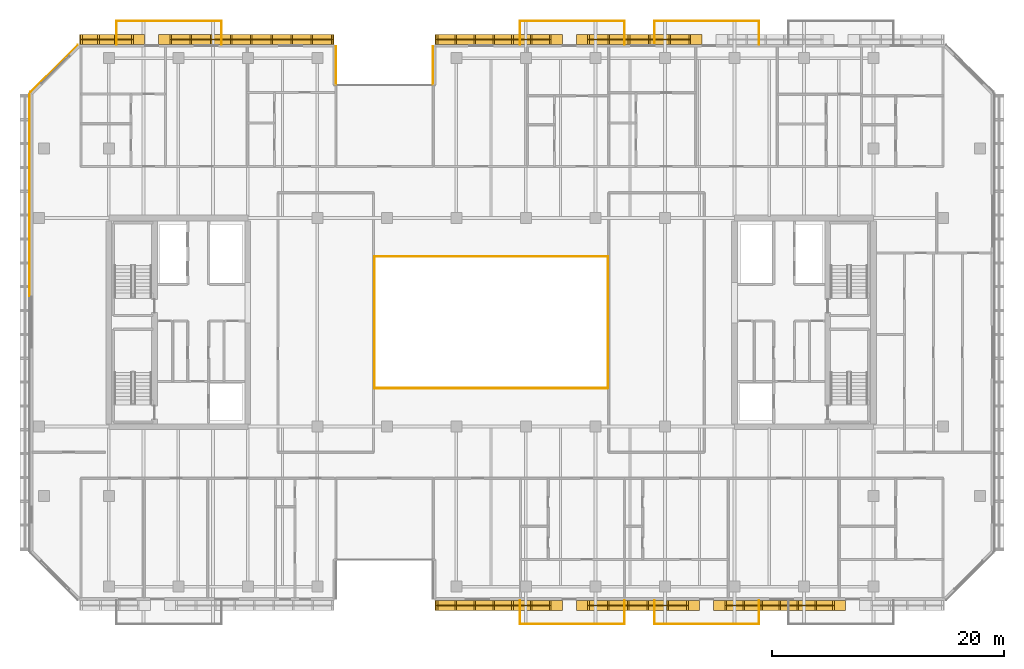
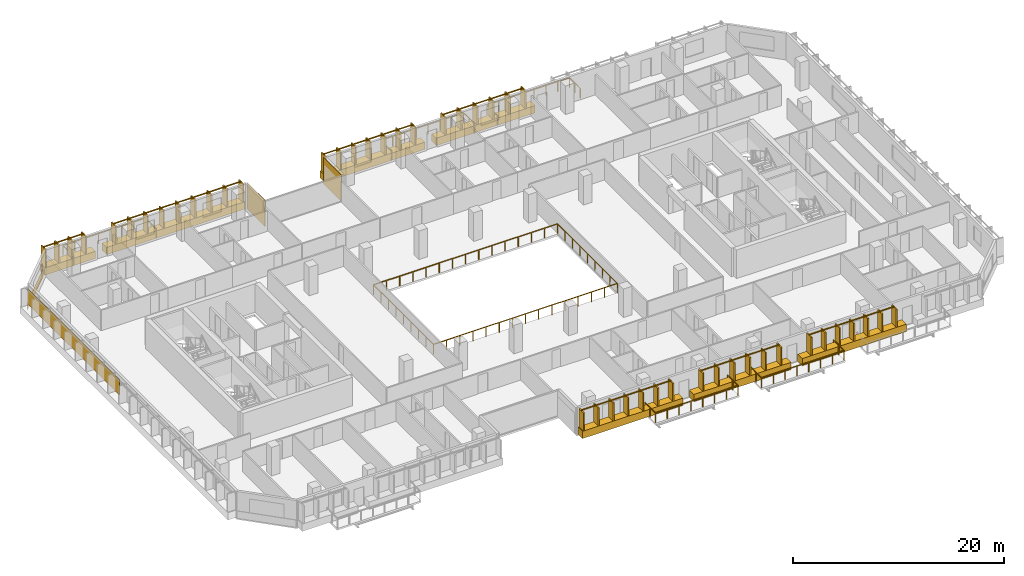
# One storey, part 21 of 23: 14 railings, 11 coverings.
"""IFC4 building model written with IfcOpenShell, lengths in metres."""

from ifc_helpers import new_model, si_unit, direction, frame, origin, origin_2d, place, context, subcontext, project, spatial, rectangle, extrude, material, layer, layer_set, type_object, element, save


model = new_model("IFC4")

# Units and contexts
model_context = context("Model", 3, precision=1e-05, world=origin(), true_north=direction((0.0, 1.0)))
body_context = subcontext(model_context, "Body", "Model", "MODEL_VIEW")
ifc_project = project(units=[si_unit("LENGTHUNIT", "METRE"), si_unit("AREAUNIT", "SQUARE_METRE"), si_unit("VOLUMEUNIT", "CUBIC_METRE"), si_unit("PLANEANGLEUNIT", "RADIAN"), si_unit("MASSUNIT", "GRAM", prefix="KILO")], contexts=[model_context])

# Site, building, storey
site_placement = place(None, origin())
site = spatial("IfcSite", under=ifc_project, at=site_placement, CompositionType="ELEMENT")
building_placement = place(site_placement, origin())
building = spatial("IfcBuilding", under=site, at=building_placement, Name="Tanjung Sevakor Pilgrim Tower", CompositionType="ELEMENT")
storey_placement = place(building_placement, frame((0.0, 0.0, 105.27001953125)))
storey = spatial("IfcBuildingStorey", under=building, at=storey_placement, Name="L29", CompositionType="ELEMENT", Elevation=105.27001953125)

# Coverings
ifc_material_1 = material(Name="Reconstructed Limestone Cladding", Category="masonry")
ifc_layer = layer(ifc_material_1, 0.044921875)
ifc_layer_set = layer_set([ifc_layer], Name="COV-CLAD-LIMESTONE")
covering_type = type_object("IfcCoveringType", Name="COV-CLAD-LIMESTONE", PredefinedType="CLADDING", material=ifc_layer_set)
covering_1_placement = place(storey_placement, frame((57.652587890625, 9.169921875, 0.009765625), z_axis=(0.0, 0.0, 1.0), x_axis=(1.0, 0.0, 0.0)))
element("IfcCovering", 1, at=covering_1_placement, inside=storey, type_object=covering_type, Name="L29 Warm Limestone Sill Spandrel EW-L29-MAIN-5-1", PredefinedType="CLADDING", context=body_context, shape_type="SweptSolid", body=[
    extrude(rectangle(XDim=10.97509765625, YDim=0.860107421875, at=origin_2d()), origin(), (0.0, 0.0, 1.0), 0.840087890625),
])
covering_2_placement = place(storey_placement, frame((69.675048828125, 9.169921875, 0.009765625), z_axis=(0.0, 0.0, 1.0), x_axis=(1.0, 0.0, 0.0)))
element("IfcCovering", 2, at=covering_2_placement, inside=storey, type_object=covering_type, Name="L29 Warm Limestone Sill Spandrel EW-L29-MAIN-5-2", PredefinedType="CLADDING", context=body_context, shape_type="SweptSolid", body=[
    extrude(rectangle(XDim=10.6298828125, YDim=0.860107421875, at=origin_2d()), origin(), (0.0, 0.0, 1.0), 0.840087890625),
])
covering_3_placement = place(storey_placement, frame((81.89990234375, 9.169921875, 0.009765625), z_axis=(0.0, 0.0, 1.0), x_axis=(1.0, 0.0, 0.0)))
element("IfcCovering", 3, at=covering_3_placement, inside=storey, type_object=covering_type, Name="L29 Warm Limestone Sill Spandrel EW-L29-MAIN-5-3", PredefinedType="CLADDING", context=body_context, shape_type="SweptSolid", body=[
    extrude(rectangle(XDim=11.3798828125, YDim=0.860107421875, at=origin_2d()), origin(), (0.0, 0.0, 1.0), 0.840087890625),
])
covering_4_placement = place(storey_placement, frame((69.77490234375, 58.030029296875, 0.009765625), z_axis=(0.0, 0.0, 1.0), x_axis=(-1.0, 0.0, 0.0)))
element("IfcCovering", 4, at=covering_4_placement, inside=storey, type_object=covering_type, Name="L29 Warm Limestone Sill Spandrel EW-L29-MAIN-9-3", PredefinedType="CLADDING", context=body_context, shape_type="SweptSolid", body=[
    extrude(rectangle(XDim=10.830078125, YDim=0.860107421875, at=origin_2d()), origin(), (0.0, 0.0, 1.0), 0.840087890625),
])
covering_5_placement = place(storey_placement, frame((57.652587890625, 58.030029296875, 0.009765625), z_axis=(0.0, 0.0, 1.0), x_axis=(-1.0, 0.0, 0.0)))
element("IfcCovering", 5, at=covering_5_placement, inside=storey, type_object=covering_type, Name="L29 Warm Limestone Sill Spandrel EW-L29-MAIN-9-4", PredefinedType="CLADDING", context=body_context, shape_type="SweptSolid", body=[
    extrude(rectangle(XDim=10.97509765625, YDim=0.860107421875, at=origin_2d()), origin(), (0.0, 0.0, 1.0), 0.840087890625),
])
for number, where, z_axis, x_axis, name in (
    (6, (51.9775390625, 55.77490234375, 0.02001953125), (0.0, 0.0, 1.0), (0.0, -1.0, 0.0), "L29 Warm Limestone Wall Cladding EW-L29-MAIN-10"),
    (7, (43.62255859375, 55.77490234375, 0.02001953125), (0.0, 0.0, 1.0), (0.0, 1.0, 0.0), "L29 Warm Limestone Wall Cladding EW-L29-MAIN-12"),
):
    element("IfcCovering", number, at=place(storey_placement, frame(where, z_axis=z_axis, x_axis=x_axis)), inside=storey, type_object=covering_type, Name=name, PredefinedType="CLADDING", context=body_context, shape_type="SweptSolid", body=[
        extrude(rectangle(XDim=3.360107421875, YDim=0.044921875, at=origin_2d()), origin(), (0.0, 0.0, 1.0), 3.0400390625),
    ])
covering_6_placement = place(storey_placement, frame((35.87255859375, 58.030029296875, 0.009765625), z_axis=(0.0, 0.0, 1.0), x_axis=(-1.0, 0.0, 0.0)))
element("IfcCovering", 8, at=covering_6_placement, inside=storey, type_object=covering_type, Name="L29 Warm Limestone Sill Spandrel EW-L29-MAIN-13-1", PredefinedType="CLADDING", context=body_context, shape_type="SweptSolid", body=[
    extrude(rectangle(XDim=15.125, YDim=0.860107421875, at=origin_2d()), origin(), (0.0, 0.0, 1.0), 0.840087890625),
])
covering_7_placement = place(storey_placement, frame((24.291015625, 58.030029296875, 0.009765625), z_axis=(0.0, 0.0, 1.0), x_axis=(-1.0, 0.0, 0.0)))
element("IfcCovering", 9, at=covering_7_placement, inside=storey, type_object=covering_type, Name="L29 Warm Limestone Sill Spandrel EW-L29-MAIN-13-2", PredefinedType="CLADDING", context=body_context, shape_type="SweptSolid", body=[
    extrude(rectangle(XDim=5.59814453125, YDim=0.860107421875, at=origin_2d()), origin(), (0.0, 0.0, 1.0), 0.840087890625),
])
covering_8_placement = place(storey_placement, frame((19.2841796875, 55.515869140625, 0.009765625), z_axis=(0.0, 0.0, 1.0), x_axis=(-0.707106781187, -0.707106781187, 0.0)))
element("IfcCovering", 10, at=covering_8_placement, inside=storey, type_object=covering_type, Name="L29 Warm Limestone Sill Spandrel EW-CHM-L29-MAIN-13-1", PredefinedType="CLADDING", context=body_context, shape_type="SweptSolid", body=[
    extrude(rectangle(XDim=5.756103515625, YDim=0.044921875, at=origin_2d()), origin(), (0.0, 0.0, 1.0), 0.840087890625),
])
covering_9_placement = place(storey_placement, frame((17.177490234375, 44.5791015625, 0.849853515625), z_axis=(0.0, 0.0, 1.0), x_axis=(0.0, -1.0, 0.0)))
element("IfcCovering", 11, at=covering_9_placement, inside=storey, type_object=covering_type, Name="L29 Warm Limestone Pier Panel EW-L29-MAIN-15-1", PredefinedType="CLADDING", context=body_context, shape_type="SweptSolid", body=[
    extrude(rectangle(XDim=17.458251953125, YDim=0.044921875, at=origin_2d()), origin(), (0.0, 0.0, 1.0), 1.81005859375),
])

# Railings
ifc_material_2 = material(Name="Laminated Glass and Aluminium", Category="aluminium")
railing_type_1 = type_object("IfcRailingType", Name="RL-BAL-BALUST", PredefinedType="BALUSTRADE", material=ifc_material_2)
railing_1_placement = place(storey_placement, frame((46.919921875, 27.919921875, 0.0)))
element("IfcRailing", 12, at=railing_1_placement, inside=storey, type_object=railing_type_1, Name="L29 Void Opening Balustrade 1A", PredefinedType="BALUSTRADE", context=body_context, shape_type="SweptSolid", body=[
    extrude(rectangle(XDim=0.0479, YDim=0.0479), frame((0.0, 0.0, 1.1259765625), z_axis=(1.0, 0.0, 0.0), x_axis=(0.0, 1.0, 0.0)), (0.0, 0.0, 1.0), 20.16015625),
    extrude(rectangle(XDim=0.0479, YDim=0.0479), frame((20.16015625, 0.0, 1.1259765625), z_axis=(0.0, 1.0, 0.0), x_axis=(-1.0, 0.0, 0.0)), (0.0, 0.0, 1.0), 11.360107421875),
    extrude(rectangle(XDim=0.042, YDim=0.042), origin(), (0.0, 0.0, 1.0), 1.101806640625),
    extrude(rectangle(XDim=0.042, YDim=0.042), frame((1.43994140625, 0.0, 0.0)), (0.0, 0.0, 1.0), 1.101806640625),
    extrude(rectangle(XDim=0.042, YDim=0.042), frame((2.880126953125, 0.0, 0.0)), (0.0, 0.0, 1.0), 1.101806640625),
    extrude(rectangle(XDim=0.042, YDim=0.042), frame((4.320068359375, 0.0, 0.0)), (0.0, 0.0, 1.0), 1.101806640625),
    extrude(rectangle(XDim=0.042, YDim=0.042), frame((5.760009765625, 0.0, 0.0)), (0.0, 0.0, 1.0), 1.101806640625),
    extrude(rectangle(XDim=0.042, YDim=0.042), frame((7.199951171875, 0.0, 0.0)), (0.0, 0.0, 1.0), 1.101806640625),
    extrude(rectangle(XDim=0.042, YDim=0.042), frame((8.64013671875, 0.0, 0.0)), (0.0, 0.0, 1.0), 1.101806640625),
    extrude(rectangle(XDim=0.042, YDim=0.042), frame((10.080078125, 0.0, 0.0)), (0.0, 0.0, 1.0), 1.101806640625),
    extrude(rectangle(XDim=0.042, YDim=0.042), frame((11.52001953125, 0.0, 0.0)), (0.0, 0.0, 1.0), 1.101806640625),
    extrude(rectangle(XDim=0.042, YDim=0.042), frame((12.960205078125, 0.0, 0.0)), (0.0, 0.0, 1.0), 1.101806640625),
    extrude(rectangle(XDim=0.042, YDim=0.042), frame((14.400146484375, 0.0, 0.0)), (0.0, 0.0, 1.0), 1.101806640625),
    extrude(rectangle(XDim=0.042, YDim=0.042), frame((15.840087890625, 0.0, 0.0)), (0.0, 0.0, 1.0), 1.101806640625),
    extrude(rectangle(XDim=0.042, YDim=0.042), frame((17.280029296875, 0.0, 0.0)), (0.0, 0.0, 1.0), 1.101806640625),
    extrude(rectangle(XDim=0.042, YDim=0.042), frame((18.72021484375, 0.0, 0.0)), (0.0, 0.0, 1.0), 1.101806640625),
    extrude(rectangle(XDim=0.042, YDim=0.042), frame((20.16015625, 0.0, 0.0)), (0.0, 0.0, 1.0), 1.101806640625),
    extrude(rectangle(XDim=0.042, YDim=0.042), frame((20.16015625, 1.419921875, 0.0)), (0.0, 0.0, 1.0), 1.101806640625),
    extrude(rectangle(XDim=0.042, YDim=0.042), frame((20.16015625, 2.840087890625, 0.0)), (0.0, 0.0, 1.0), 1.101806640625),
    extrude(rectangle(XDim=0.042, YDim=0.042), frame((20.16015625, 4.260009765625, 0.0)), (0.0, 0.0, 1.0), 1.101806640625),
    extrude(rectangle(XDim=0.042, YDim=0.042), frame((20.16015625, 5.68017578125, 0.0)), (0.0, 0.0, 1.0), 1.101806640625),
    extrude(rectangle(XDim=0.042, YDim=0.042), frame((20.16015625, 7.10009765625, 0.0)), (0.0, 0.0, 1.0), 1.101806640625),
    extrude(rectangle(XDim=0.042, YDim=0.042), frame((20.16015625, 8.52001953125, 0.0)), (0.0, 0.0, 1.0), 1.101806640625),
    extrude(rectangle(XDim=0.042, YDim=0.042), frame((20.16015625, 9.940185546875, 0.0)), (0.0, 0.0, 1.0), 1.101806640625),
    extrude(rectangle(XDim=0.042, YDim=0.042), frame((20.16015625, 11.360107421875, 0.0)), (0.0, 0.0, 1.0), 1.101806640625),
])
railing_2_placement = place(storey_placement, frame((67.080078125, 39.280029296875, 0.0)))
element("IfcRailing", 13, at=railing_2_placement, inside=storey, type_object=railing_type_1, Name="L29 Void Opening Balustrade 1B", PredefinedType="BALUSTRADE", context=body_context, shape_type="SweptSolid", body=[
    extrude(rectangle(XDim=0.0479, YDim=0.0479), frame((0.0, 0.0, 1.1259765625), z_axis=(-1.0, 0.0, 0.0), x_axis=(0.0, -1.0, 0.0)), (0.0, 0.0, 1.0), 20.16015625),
    extrude(rectangle(XDim=0.0479, YDim=0.0479), frame((-20.16015625, 0.0, 1.1259765625), z_axis=(0.0, -1.0, 0.0), x_axis=(1.0, 0.0, 0.0)), (0.0, 0.0, 1.0), 11.360107421875),
    extrude(rectangle(XDim=0.042, YDim=0.042), origin(), (0.0, 0.0, 1.0), 1.101806640625),
    extrude(rectangle(XDim=0.042, YDim=0.042), frame((-1.43994140625, 0.0, 0.0)), (0.0, 0.0, 1.0), 1.101806640625),
    extrude(rectangle(XDim=0.042, YDim=0.042), frame((-2.880126953125, 0.0, 0.0)), (0.0, 0.0, 1.0), 1.101806640625),
    extrude(rectangle(XDim=0.042, YDim=0.042), frame((-4.320068359375, 0.0, 0.0)), (0.0, 0.0, 1.0), 1.101806640625),
    extrude(rectangle(XDim=0.042, YDim=0.042), frame((-5.760009765625, 0.0, 0.0)), (0.0, 0.0, 1.0), 1.101806640625),
    extrude(rectangle(XDim=0.042, YDim=0.042), frame((-7.199951171875, 0.0, 0.0)), (0.0, 0.0, 1.0), 1.101806640625),
    extrude(rectangle(XDim=0.042, YDim=0.042), frame((-8.64013671875, 0.0, 0.0)), (0.0, 0.0, 1.0), 1.101806640625),
    extrude(rectangle(XDim=0.042, YDim=0.042), frame((-10.080078125, 0.0, 0.0)), (0.0, 0.0, 1.0), 1.101806640625),
    extrude(rectangle(XDim=0.042, YDim=0.042), frame((-11.52001953125, 0.0, 0.0)), (0.0, 0.0, 1.0), 1.101806640625),
    extrude(rectangle(XDim=0.042, YDim=0.042), frame((-12.960205078125, 0.0, 0.0)), (0.0, 0.0, 1.0), 1.101806640625),
    extrude(rectangle(XDim=0.042, YDim=0.042), frame((-14.400146484375, 0.0, 0.0)), (0.0, 0.0, 1.0), 1.101806640625),
    extrude(rectangle(XDim=0.042, YDim=0.042), frame((-15.840087890625, 0.0, 0.0)), (0.0, 0.0, 1.0), 1.101806640625),
    extrude(rectangle(XDim=0.042, YDim=0.042), frame((-17.280029296875, 0.0, 0.0)), (0.0, 0.0, 1.0), 1.101806640625),
    extrude(rectangle(XDim=0.042, YDim=0.042), frame((-18.72021484375, 0.0, 0.0)), (0.0, 0.0, 1.0), 1.101806640625),
    extrude(rectangle(XDim=0.042, YDim=0.042), frame((-20.16015625, 0.0, 0.0)), (0.0, 0.0, 1.0), 1.101806640625),
    extrude(rectangle(XDim=0.042, YDim=0.042), frame((-20.16015625, -1.419921875, 0.0)), (0.0, 0.0, 1.0), 1.101806640625),
    extrude(rectangle(XDim=0.042, YDim=0.042), frame((-20.16015625, -2.840087890625, 0.0)), (0.0, 0.0, 1.0), 1.101806640625),
    extrude(rectangle(XDim=0.042, YDim=0.042), frame((-20.16015625, -4.260009765625, 0.0)), (0.0, 0.0, 1.0), 1.101806640625),
    extrude(rectangle(XDim=0.042, YDim=0.042), frame((-20.16015625, -5.68017578125, 0.0)), (0.0, 0.0, 1.0), 1.101806640625),
    extrude(rectangle(XDim=0.042, YDim=0.042), frame((-20.16015625, -7.10009765625, 0.0)), (0.0, 0.0, 1.0), 1.101806640625),
    extrude(rectangle(XDim=0.042, YDim=0.042), frame((-20.16015625, -8.52001953125, 0.0)), (0.0, 0.0, 1.0), 1.101806640625),
    extrude(rectangle(XDim=0.042, YDim=0.042), frame((-20.16015625, -9.940185546875, 0.0)), (0.0, 0.0, 1.0), 1.101806640625),
    extrude(rectangle(XDim=0.042, YDim=0.042), frame((-20.16015625, -11.360107421875, 0.0)), (0.0, 0.0, 1.0), 1.101806640625),
])
railing_3_placement = place(storey_placement, frame((24.679931640625, 57.60009765625, 0.0)))
element("IfcRailing", 14, at=railing_3_placement, inside=storey, type_object=railing_type_1, Name="L29 Loggia Balustrade MAIN-N1", PredefinedType="BALUSTRADE", context=body_context, shape_type="SweptSolid", body=[
    extrude(rectangle(XDim=0.0479, YDim=0.0479), frame((0.0, 0.0, 1.1259765625), z_axis=(0.0, 1.0, 0.0), x_axis=(-1.0, 0.0, 0.0)), (0.0, 0.0, 1.0), 2.02001953125),
    extrude(rectangle(XDim=0.0479, YDim=0.0479), frame((0.0, 2.02001953125, 1.1259765625), z_axis=(1.0, 0.0, 0.0), x_axis=(0.0, 1.0, 0.0)), (0.0, 0.0, 1.0), 9.0400390625),
    extrude(rectangle(XDim=0.0479, YDim=0.0479), frame((9.0400390625, 2.02001953125, 1.1259765625), z_axis=(0.0, -1.0, 0.0), x_axis=(1.0, 0.0, 0.0)), (0.0, 0.0, 1.0), 2.02001953125),
    extrude(rectangle(XDim=0.042, YDim=0.042), origin(), (0.0, 0.0, 1.0), 1.101806640625),
    extrude(rectangle(XDim=0.042, YDim=0.042), frame((0.0, 1.010009765625, 0.0)), (0.0, 0.0, 1.0), 1.101806640625),
    extrude(rectangle(XDim=0.042, YDim=0.042), frame((0.0, 2.02001953125, 0.0)), (0.0, 0.0, 1.0), 1.101806640625),
    extrude(rectangle(XDim=0.042, YDim=0.042), frame((1.29150390625, 2.02001953125, 0.0)), (0.0, 0.0, 1.0), 1.101806640625),
    extrude(rectangle(XDim=0.042, YDim=0.042), frame((2.582763671875, 2.02001953125, 0.0)), (0.0, 0.0, 1.0), 1.101806640625),
    extrude(rectangle(XDim=0.042, YDim=0.042), frame((3.874267578125, 2.02001953125, 0.0)), (0.0, 0.0, 1.0), 1.101806640625),
    extrude(rectangle(XDim=0.042, YDim=0.042), frame((5.165771484375, 2.02001953125, 0.0)), (0.0, 0.0, 1.0), 1.101806640625),
    extrude(rectangle(XDim=0.042, YDim=0.042), frame((6.457275390625, 2.02001953125, 0.0)), (0.0, 0.0, 1.0), 1.101806640625),
    extrude(rectangle(XDim=0.042, YDim=0.042), frame((7.74853515625, 2.02001953125, 0.0)), (0.0, 0.0, 1.0), 1.101806640625),
    extrude(rectangle(XDim=0.042, YDim=0.042), frame((9.0400390625, 2.02001953125, 0.0)), (0.0, 0.0, 1.0), 1.101806640625),
    extrude(rectangle(XDim=0.042, YDim=0.042), frame((9.0400390625, 1.010009765625, 0.0)), (0.0, 0.0, 1.0), 1.101806640625),
    extrude(rectangle(XDim=0.042, YDim=0.042), frame((9.0400390625, 0.0, 0.0)), (0.0, 0.0, 1.0), 1.101806640625),
])
railing_4_placement = place(storey_placement, frame((59.47998046875, 9.60009765625, 0.0)))
element("IfcRailing", 15, at=railing_4_placement, inside=storey, type_object=railing_type_1, Name="L29 Loggia Balustrade MAIN-S2", PredefinedType="BALUSTRADE", context=body_context, shape_type="SweptSolid", body=[
    extrude(rectangle(XDim=0.0479, YDim=0.0479), frame((0.0, 0.0, 1.1259765625), z_axis=(0.0, -1.0, 0.0), x_axis=(1.0, 0.0, 0.0)), (0.0, 0.0, 1.0), 2.02001953125),
    extrude(rectangle(XDim=0.0479, YDim=0.0479), frame((0.0, -2.02001953125, 1.1259765625), z_axis=(1.0, 0.0, 0.0), x_axis=(0.0, 1.0, 0.0)), (0.0, 0.0, 1.0), 9.0400390625),
    extrude(rectangle(XDim=0.0479, YDim=0.0479), frame((9.0400390625, -2.02001953125, 1.1259765625), z_axis=(0.0, 1.0, 0.0), x_axis=(-1.0, 0.0, 0.0)), (0.0, 0.0, 1.0), 2.02001953125),
    extrude(rectangle(XDim=0.042, YDim=0.042), origin(), (0.0, 0.0, 1.0), 1.101806640625),
    extrude(rectangle(XDim=0.042, YDim=0.042), frame((0.0, -1.010009765625, 0.0)), (0.0, 0.0, 1.0), 1.101806640625),
    extrude(rectangle(XDim=0.042, YDim=0.042), frame((0.0, -2.02001953125, 0.0)), (0.0, 0.0, 1.0), 1.101806640625),
    extrude(rectangle(XDim=0.042, YDim=0.042), frame((1.29150390625, -2.02001953125, 0.0)), (0.0, 0.0, 1.0), 1.101806640625),
    extrude(rectangle(XDim=0.042, YDim=0.042), frame((2.582763671875, -2.02001953125, 0.0)), (0.0, 0.0, 1.0), 1.101806640625),
    extrude(rectangle(XDim=0.042, YDim=0.042), frame((3.874267578125, -2.02001953125, 0.0)), (0.0, 0.0, 1.0), 1.101806640625),
    extrude(rectangle(XDim=0.042, YDim=0.042), frame((5.165771484375, -2.02001953125, 0.0)), (0.0, 0.0, 1.0), 1.101806640625),
    extrude(rectangle(XDim=0.042, YDim=0.042), frame((6.457275390625, -2.02001953125, 0.0)), (0.0, 0.0, 1.0), 1.101806640625),
    extrude(rectangle(XDim=0.042, YDim=0.042), frame((7.74853515625, -2.02001953125, 0.0)), (0.0, 0.0, 1.0), 1.101806640625),
    extrude(rectangle(XDim=0.042, YDim=0.042), frame((9.0400390625, -2.02001953125, 0.0)), (0.0, 0.0, 1.0), 1.101806640625),
    extrude(rectangle(XDim=0.042, YDim=0.042), frame((9.0400390625, -1.010009765625, 0.0)), (0.0, 0.0, 1.0), 1.101806640625),
    extrude(rectangle(XDim=0.042, YDim=0.042), frame((9.0400390625, 0.0, 0.0)), (0.0, 0.0, 1.0), 1.101806640625),
])
railing_5_placement = place(storey_placement, frame((59.47998046875, 57.60009765625, 0.0)))
element("IfcRailing", 16, at=railing_5_placement, inside=storey, type_object=railing_type_1, Name="L29 Loggia Balustrade MAIN-N2", PredefinedType="BALUSTRADE", context=body_context, shape_type="SweptSolid", body=[
    extrude(rectangle(XDim=0.0479, YDim=0.0479), frame((0.0, 0.0, 1.1259765625), z_axis=(0.0, 1.0, 0.0), x_axis=(-1.0, 0.0, 0.0)), (0.0, 0.0, 1.0), 2.02001953125),
    extrude(rectangle(XDim=0.0479, YDim=0.0479), frame((0.0, 2.02001953125, 1.1259765625), z_axis=(1.0, 0.0, 0.0), x_axis=(0.0, 1.0, 0.0)), (0.0, 0.0, 1.0), 9.0400390625),
    extrude(rectangle(XDim=0.0479, YDim=0.0479), frame((9.0400390625, 2.02001953125, 1.1259765625), z_axis=(0.0, -1.0, 0.0), x_axis=(1.0, 0.0, 0.0)), (0.0, 0.0, 1.0), 2.02001953125),
    extrude(rectangle(XDim=0.042, YDim=0.042), origin(), (0.0, 0.0, 1.0), 1.101806640625),
    extrude(rectangle(XDim=0.042, YDim=0.042), frame((0.0, 1.010009765625, 0.0)), (0.0, 0.0, 1.0), 1.101806640625),
    extrude(rectangle(XDim=0.042, YDim=0.042), frame((0.0, 2.02001953125, 0.0)), (0.0, 0.0, 1.0), 1.101806640625),
    extrude(rectangle(XDim=0.042, YDim=0.042), frame((1.29150390625, 2.02001953125, 0.0)), (0.0, 0.0, 1.0), 1.101806640625),
    extrude(rectangle(XDim=0.042, YDim=0.042), frame((2.582763671875, 2.02001953125, 0.0)), (0.0, 0.0, 1.0), 1.101806640625),
    extrude(rectangle(XDim=0.042, YDim=0.042), frame((3.874267578125, 2.02001953125, 0.0)), (0.0, 0.0, 1.0), 1.101806640625),
    extrude(rectangle(XDim=0.042, YDim=0.042), frame((5.165771484375, 2.02001953125, 0.0)), (0.0, 0.0, 1.0), 1.101806640625),
    extrude(rectangle(XDim=0.042, YDim=0.042), frame((6.457275390625, 2.02001953125, 0.0)), (0.0, 0.0, 1.0), 1.101806640625),
    extrude(rectangle(XDim=0.042, YDim=0.042), frame((7.74853515625, 2.02001953125, 0.0)), (0.0, 0.0, 1.0), 1.101806640625),
    extrude(rectangle(XDim=0.042, YDim=0.042), frame((9.0400390625, 2.02001953125, 0.0)), (0.0, 0.0, 1.0), 1.101806640625),
    extrude(rectangle(XDim=0.042, YDim=0.042), frame((9.0400390625, 1.010009765625, 0.0)), (0.0, 0.0, 1.0), 1.101806640625),
    extrude(rectangle(XDim=0.042, YDim=0.042), frame((9.0400390625, 0.0, 0.0)), (0.0, 0.0, 1.0), 1.101806640625),
])
railing_6_placement = place(storey_placement, frame((71.080078125, 9.60009765625, 0.0)))
element("IfcRailing", 17, at=railing_6_placement, inside=storey, type_object=railing_type_1, Name="L29 Loggia Balustrade MAIN-S3", PredefinedType="BALUSTRADE", context=body_context, shape_type="SweptSolid", body=[
    extrude(rectangle(XDim=0.0479, YDim=0.0479), frame((0.0, 0.0, 1.1259765625), z_axis=(0.0, -1.0, 0.0), x_axis=(1.0, 0.0, 0.0)), (0.0, 0.0, 1.0), 2.02001953125),
    extrude(rectangle(XDim=0.0479, YDim=0.0479), frame((0.0, -2.02001953125, 1.1259765625), z_axis=(1.0, 0.0, 0.0), x_axis=(0.0, 1.0, 0.0)), (0.0, 0.0, 1.0), 9.0400390625),
    extrude(rectangle(XDim=0.0479, YDim=0.0479), frame((9.0400390625, -2.02001953125, 1.1259765625), z_axis=(0.0, 1.0, 0.0), x_axis=(-1.0, 0.0, 0.0)), (0.0, 0.0, 1.0), 2.02001953125),
    extrude(rectangle(XDim=0.042, YDim=0.042), origin(), (0.0, 0.0, 1.0), 1.101806640625),
    extrude(rectangle(XDim=0.042, YDim=0.042), frame((0.0, -1.010009765625, 0.0)), (0.0, 0.0, 1.0), 1.101806640625),
    extrude(rectangle(XDim=0.042, YDim=0.042), frame((0.0, -2.02001953125, 0.0)), (0.0, 0.0, 1.0), 1.101806640625),
    extrude(rectangle(XDim=0.042, YDim=0.042), frame((1.29150390625, -2.02001953125, 0.0)), (0.0, 0.0, 1.0), 1.101806640625),
    extrude(rectangle(XDim=0.042, YDim=0.042), frame((2.582763671875, -2.02001953125, 0.0)), (0.0, 0.0, 1.0), 1.101806640625),
    extrude(rectangle(XDim=0.042, YDim=0.042), frame((3.874267578125, -2.02001953125, 0.0)), (0.0, 0.0, 1.0), 1.101806640625),
    extrude(rectangle(XDim=0.042, YDim=0.042), frame((5.165771484375, -2.02001953125, 0.0)), (0.0, 0.0, 1.0), 1.101806640625),
    extrude(rectangle(XDim=0.042, YDim=0.042), frame((6.457275390625, -2.02001953125, 0.0)), (0.0, 0.0, 1.0), 1.101806640625),
    extrude(rectangle(XDim=0.042, YDim=0.042), frame((7.74853515625, -2.02001953125, 0.0)), (0.0, 0.0, 1.0), 1.101806640625),
    extrude(rectangle(XDim=0.042, YDim=0.042), frame((9.0400390625, -2.02001953125, 0.0)), (0.0, 0.0, 1.0), 1.101806640625),
    extrude(rectangle(XDim=0.042, YDim=0.042), frame((9.0400390625, -1.010009765625, 0.0)), (0.0, 0.0, 1.0), 1.101806640625),
    extrude(rectangle(XDim=0.042, YDim=0.042), frame((9.0400390625, 0.0, 0.0)), (0.0, 0.0, 1.0), 1.101806640625),
])
railing_7_placement = place(storey_placement, frame((71.080078125, 57.60009765625, 0.0)))
element("IfcRailing", 18, at=railing_7_placement, inside=storey, type_object=railing_type_1, Name="L29 Loggia Balustrade MAIN-N3", PredefinedType="BALUSTRADE", context=body_context, shape_type="SweptSolid", body=[
    extrude(rectangle(XDim=0.0479, YDim=0.0479), frame((0.0, 0.0, 1.1259765625), z_axis=(0.0, 1.0, 0.0), x_axis=(-1.0, 0.0, 0.0)), (0.0, 0.0, 1.0), 2.02001953125),
    extrude(rectangle(XDim=0.0479, YDim=0.0479), frame((0.0, 2.02001953125, 1.1259765625), z_axis=(1.0, 0.0, 0.0), x_axis=(0.0, 1.0, 0.0)), (0.0, 0.0, 1.0), 9.0400390625),
    extrude(rectangle(XDim=0.0479, YDim=0.0479), frame((9.0400390625, 2.02001953125, 1.1259765625), z_axis=(0.0, -1.0, 0.0), x_axis=(1.0, 0.0, 0.0)), (0.0, 0.0, 1.0), 2.02001953125),
    extrude(rectangle(XDim=0.042, YDim=0.042), origin(), (0.0, 0.0, 1.0), 1.101806640625),
    extrude(rectangle(XDim=0.042, YDim=0.042), frame((0.0, 1.010009765625, 0.0)), (0.0, 0.0, 1.0), 1.101806640625),
    extrude(rectangle(XDim=0.042, YDim=0.042), frame((0.0, 2.02001953125, 0.0)), (0.0, 0.0, 1.0), 1.101806640625),
    extrude(rectangle(XDim=0.042, YDim=0.042), frame((1.29150390625, 2.02001953125, 0.0)), (0.0, 0.0, 1.0), 1.101806640625),
    extrude(rectangle(XDim=0.042, YDim=0.042), frame((2.582763671875, 2.02001953125, 0.0)), (0.0, 0.0, 1.0), 1.101806640625),
    extrude(rectangle(XDim=0.042, YDim=0.042), frame((3.874267578125, 2.02001953125, 0.0)), (0.0, 0.0, 1.0), 1.101806640625),
    extrude(rectangle(XDim=0.042, YDim=0.042), frame((5.165771484375, 2.02001953125, 0.0)), (0.0, 0.0, 1.0), 1.101806640625),
    extrude(rectangle(XDim=0.042, YDim=0.042), frame((6.457275390625, 2.02001953125, 0.0)), (0.0, 0.0, 1.0), 1.101806640625),
    extrude(rectangle(XDim=0.042, YDim=0.042), frame((7.74853515625, 2.02001953125, 0.0)), (0.0, 0.0, 1.0), 1.101806640625),
    extrude(rectangle(XDim=0.042, YDim=0.042), frame((9.0400390625, 2.02001953125, 0.0)), (0.0, 0.0, 1.0), 1.101806640625),
    extrude(rectangle(XDim=0.042, YDim=0.042), frame((9.0400390625, 1.010009765625, 0.0)), (0.0, 0.0, 1.0), 1.101806640625),
    extrude(rectangle(XDim=0.042, YDim=0.042), frame((9.0400390625, 0.0, 0.0)), (0.0, 0.0, 1.0), 1.101806640625),
])
ifc_material_3 = material(Name="Anodised Bronze Aluminium 6063-T6", Category="aluminium")
railing_type_2 = type_object("IfcRailingType", Name="RL-FIN-SCREEN", PredefinedType="BALUSTRADE", material=ifc_material_3)
railing_8_placement = place(storey_placement, frame((52.324951171875, 9.175048828125, 0.840087890625)))
element("IfcRailing", 19, at=railing_8_placement, inside=storey, type_object=railing_type_2, Name="L29 Vertical Bronze-Gold Solar Fin Screen FNSCR-EW-L29-MAIN-5-1", PredefinedType="BALUSTRADE", context=body_context, shape_type="SweptSolid", body=[
    extrude(rectangle(XDim=0.105, YDim=0.105), frame((0.0, 0.0, 2.157470703125), z_axis=(1.0, 0.0, 0.0), x_axis=(0.0, 1.0, 0.0)), (0.0, 0.0, 1.0), 9.775146484375),
    extrude(rectangle(XDim=0.14, YDim=0.85), origin(), (0.0, 0.0, 1.0), 2.10498046875),
    extrude(rectangle(XDim=0.14, YDim=0.85), frame((1.629150390625, 0.0, 0.0)), (0.0, 0.0, 1.0), 2.10498046875),
    extrude(rectangle(XDim=0.14, YDim=0.85), frame((3.25830078125, 0.0, 0.0)), (0.0, 0.0, 1.0), 2.10498046875),
    extrude(rectangle(XDim=0.14, YDim=0.85), frame((4.8876953125, 0.0, 0.0)), (0.0, 0.0, 1.0), 2.10498046875),
    extrude(rectangle(XDim=0.14, YDim=0.85), frame((6.516845703125, 0.0, 0.0)), (0.0, 0.0, 1.0), 2.10498046875),
    extrude(rectangle(XDim=0.14, YDim=0.85), frame((8.14599609375, 0.0, 0.0)), (0.0, 0.0, 1.0), 2.10498046875),
    extrude(rectangle(XDim=0.14, YDim=0.85), frame((9.775146484375, 0.0, 0.0)), (0.0, 0.0, 1.0), 2.10498046875),
])
railing_9_placement = place(storey_placement, frame((65.39990234375, 9.175048828125, 0.840087890625)))
element("IfcRailing", 20, at=railing_9_placement, inside=storey, type_object=railing_type_2, Name="L29 Vertical Bronze-Gold Solar Fin Screen FNSCR-EW-L29-MAIN-5-2", PredefinedType="BALUSTRADE", context=body_context, shape_type="SweptSolid", body=[
    extrude(rectangle(XDim=0.105, YDim=0.105), frame((0.0, 0.0, 2.157470703125), z_axis=(1.0, 0.0, 0.0), x_axis=(0.0, 1.0, 0.0)), (0.0, 0.0, 1.0), 8.550048828125),
    extrude(rectangle(XDim=0.14, YDim=0.85), origin(), (0.0, 0.0, 1.0), 2.10498046875),
    extrude(rectangle(XDim=0.14, YDim=0.85), frame((1.7099609375, 0.0, 0.0)), (0.0, 0.0, 1.0), 2.10498046875),
    extrude(rectangle(XDim=0.14, YDim=0.85), frame((3.419921875, 0.0, 0.0)), (0.0, 0.0, 1.0), 2.10498046875),
    extrude(rectangle(XDim=0.14, YDim=0.85), frame((5.130126953125, 0.0, 0.0)), (0.0, 0.0, 1.0), 2.10498046875),
    extrude(rectangle(XDim=0.14, YDim=0.85), frame((6.840087890625, 0.0, 0.0)), (0.0, 0.0, 1.0), 2.10498046875),
    extrude(rectangle(XDim=0.14, YDim=0.85), frame((8.550048828125, 0.0, 0.0)), (0.0, 0.0, 1.0), 2.10498046875),
])
railing_10_placement = place(storey_placement, frame((77.25, 9.175048828125, 0.840087890625)))
element("IfcRailing", 21, at=railing_10_placement, inside=storey, type_object=railing_type_2, Name="L29 Vertical Bronze-Gold Solar Fin Screen FNSCR-EW-L29-MAIN-5-3", PredefinedType="BALUSTRADE", context=body_context, shape_type="SweptSolid", body=[
    extrude(rectangle(XDim=0.105, YDim=0.105), frame((0.0, 0.0, 2.157470703125), z_axis=(1.0, 0.0, 0.0), x_axis=(0.0, 1.0, 0.0)), (0.0, 0.0, 1.0), 9.300048828125),
    extrude(rectangle(XDim=0.14, YDim=0.85), origin(), (0.0, 0.0, 1.0), 2.10498046875),
    extrude(rectangle(XDim=0.14, YDim=0.85), frame((1.550048828125, 0.0, 0.0)), (0.0, 0.0, 1.0), 2.10498046875),
    extrude(rectangle(XDim=0.14, YDim=0.85), frame((3.10009765625, 0.0, 0.0)), (0.0, 0.0, 1.0), 2.10498046875),
    extrude(rectangle(XDim=0.14, YDim=0.85), frame((4.64990234375, 0.0, 0.0)), (0.0, 0.0, 1.0), 2.10498046875),
    extrude(rectangle(XDim=0.14, YDim=0.85), frame((6.199951171875, 0.0, 0.0)), (0.0, 0.0, 1.0), 2.10498046875),
    extrude(rectangle(XDim=0.14, YDim=0.85), frame((7.75, 0.0, 0.0)), (0.0, 0.0, 1.0), 2.10498046875),
    extrude(rectangle(XDim=0.14, YDim=0.85), frame((9.300048828125, 0.0, 0.0)), (0.0, 0.0, 1.0), 2.10498046875),
])
railing_11_placement = place(storey_placement, frame((74.14990234375, 58.02490234375, 0.840087890625)))
element("IfcRailing", 22, at=railing_11_placement, inside=storey, type_object=railing_type_2, Name="L29 Vertical Bronze-Gold Solar Fin Screen FNSCR-EW-L29-MAIN-9-3", PredefinedType="BALUSTRADE", context=body_context, shape_type="SweptSolid", body=[
    extrude(rectangle(XDim=0.105, YDim=0.105), frame((0.0, 0.0, 2.157470703125), z_axis=(-1.0, 0.0, 0.0), x_axis=(0.0, -1.0, 0.0)), (0.0, 0.0, 1.0), 8.75),
    extrude(rectangle(XDim=0.14, YDim=0.85), origin(), (0.0, 0.0, 1.0), 2.10498046875),
    extrude(rectangle(XDim=0.14, YDim=0.85), frame((-1.75, 0.0, 0.0)), (0.0, 0.0, 1.0), 2.10498046875),
    extrude(rectangle(XDim=0.14, YDim=0.85), frame((-3.5, 0.0, 0.0)), (0.0, 0.0, 1.0), 2.10498046875),
    extrude(rectangle(XDim=0.14, YDim=0.85), frame((-5.25, 0.0, 0.0)), (0.0, 0.0, 1.0), 2.10498046875),
    extrude(rectangle(XDim=0.14, YDim=0.85), frame((-7.0, 0.0, 0.0)), (0.0, 0.0, 1.0), 2.10498046875),
    extrude(rectangle(XDim=0.14, YDim=0.85), frame((-8.75, 0.0, 0.0)), (0.0, 0.0, 1.0), 2.10498046875),
])
railing_12_placement = place(storey_placement, frame((62.10009765625, 58.02490234375, 0.840087890625)))
element("IfcRailing", 23, at=railing_12_placement, inside=storey, type_object=railing_type_2, Name="L29 Vertical Bronze-Gold Solar Fin Screen FNSCR-EW-L29-MAIN-9-4", PredefinedType="BALUSTRADE", context=body_context, shape_type="SweptSolid", body=[
    extrude(rectangle(XDim=0.105, YDim=0.105), frame((0.0, 0.0, 2.157470703125), z_axis=(-1.0, 0.0, 0.0), x_axis=(0.0, -1.0, 0.0)), (0.0, 0.0, 1.0), 9.775146484375),
    extrude(rectangle(XDim=0.14, YDim=0.85), origin(), (0.0, 0.0, 1.0), 2.10498046875),
    extrude(rectangle(XDim=0.14, YDim=0.85), frame((-1.629150390625, 0.0, 0.0)), (0.0, 0.0, 1.0), 2.10498046875),
    extrude(rectangle(XDim=0.14, YDim=0.85), frame((-3.25830078125, 0.0, 0.0)), (0.0, 0.0, 1.0), 2.10498046875),
    extrude(rectangle(XDim=0.14, YDim=0.85), frame((-4.8876953125, 0.0, 0.0)), (0.0, 0.0, 1.0), 2.10498046875),
    extrude(rectangle(XDim=0.14, YDim=0.85), frame((-6.516845703125, 0.0, 0.0)), (0.0, 0.0, 1.0), 2.10498046875),
    extrude(rectangle(XDim=0.14, YDim=0.85), frame((-8.14599609375, 0.0, 0.0)), (0.0, 0.0, 1.0), 2.10498046875),
    extrude(rectangle(XDim=0.14, YDim=0.85), frame((-9.775146484375, 0.0, 0.0)), (0.0, 0.0, 1.0), 2.10498046875),
])
railing_13_placement = place(storey_placement, frame((43.27490234375, 58.02490234375, 0.840087890625)))
element("IfcRailing", 24, at=railing_13_placement, inside=storey, type_object=railing_type_2, Name="L29 Vertical Bronze-Gold Solar Fin Screen FNSCR-EW-L29-MAIN-13-1", PredefinedType="BALUSTRADE", context=body_context, shape_type="SweptSolid", body=[
    extrude(rectangle(XDim=0.105, YDim=0.105), frame((0.0, 0.0, 2.157470703125), z_axis=(-1.0, 0.0, 0.0), x_axis=(0.0, -1.0, 0.0)), (0.0, 0.0, 1.0), 13.9248046875),
    extrude(rectangle(XDim=0.14, YDim=0.85), origin(), (0.0, 0.0, 1.0), 2.10498046875),
    extrude(rectangle(XDim=0.14, YDim=0.85), frame((-1.74072265625, 0.0, 0.0)), (0.0, 0.0, 1.0), 2.10498046875),
    extrude(rectangle(XDim=0.14, YDim=0.85), frame((-3.481201171875, 0.0, 0.0)), (0.0, 0.0, 1.0), 2.10498046875),
    extrude(rectangle(XDim=0.14, YDim=0.85), frame((-5.2216796875, 0.0, 0.0)), (0.0, 0.0, 1.0), 2.10498046875),
    extrude(rectangle(XDim=0.14, YDim=0.85), frame((-6.96240234375, 0.0, 0.0)), (0.0, 0.0, 1.0), 2.10498046875),
    extrude(rectangle(XDim=0.14, YDim=0.85), frame((-8.703125, 0.0, 0.0)), (0.0, 0.0, 1.0), 2.10498046875),
    extrude(rectangle(XDim=0.14, YDim=0.85), frame((-10.443603515625, 0.0, 0.0)), (0.0, 0.0, 1.0), 2.10498046875),
    extrude(rectangle(XDim=0.14, YDim=0.85), frame((-12.18408203125, 0.0, 0.0)), (0.0, 0.0, 1.0), 2.10498046875),
    extrude(rectangle(XDim=0.14, YDim=0.85), frame((-13.9248046875, 0.0, 0.0)), (0.0, 0.0, 1.0), 2.10498046875),
])
railing_14_placement = place(storey_placement, frame((26.050048828125, 58.02490234375, 0.840087890625)))
element("IfcRailing", 25, at=railing_14_placement, inside=storey, type_object=railing_type_2, Name="L29 Vertical Bronze-Gold Solar Fin Screen FNSCR-EW-L29-MAIN-13-2", PredefinedType="BALUSTRADE", context=body_context, shape_type="SweptSolid", body=[
    extrude(rectangle(XDim=0.105, YDim=0.105), frame((0.0, 0.0, 2.157470703125), z_axis=(-1.0, 0.0, 0.0), x_axis=(0.0, -1.0, 0.0)), (0.0, 0.0, 1.0), 4.398193359375),
    extrude(rectangle(XDim=0.14, YDim=0.85), origin(), (0.0, 0.0, 1.0), 2.10498046875),
    extrude(rectangle(XDim=0.14, YDim=0.85), frame((-1.466064453125, 0.0, 0.0)), (0.0, 0.0, 1.0), 2.10498046875),
    extrude(rectangle(XDim=0.14, YDim=0.85), frame((-2.93212890625, 0.0, 0.0)), (0.0, 0.0, 1.0), 2.10498046875),
    extrude(rectangle(XDim=0.14, YDim=0.85), frame((-4.398193359375, 0.0, 0.0)), (0.0, 0.0, 1.0), 2.10498046875),
])

save(model, "model.ifc")
